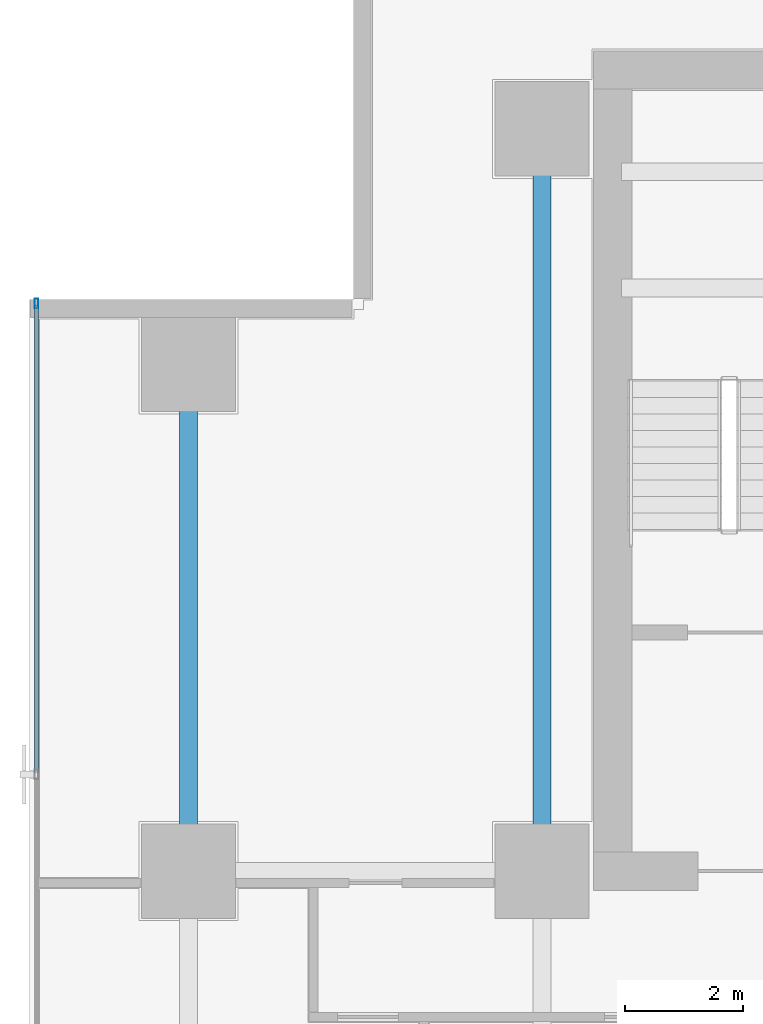
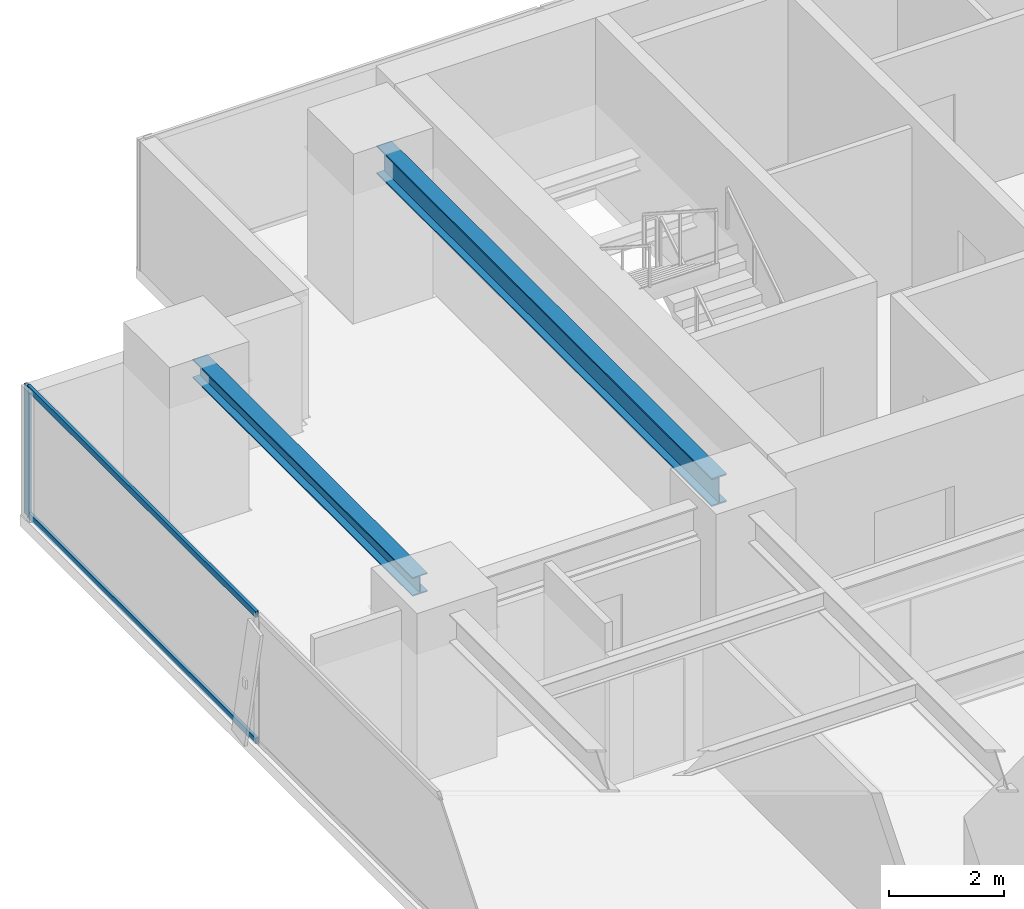
# One storey, part 18 of 34: 3 members, 2 beams, 1 element without a shape of its own.
"""IFC4 building model written with IfcOpenShell, lengths in metres."""

from ifc_helpers import new_model, si_unit, direction, frame, origin, origin_2d, place, context, subcontext, project, spatial, hollow_rectangle, i_section, extrude, source, transform, mapped, material, layer, layer_set, material_profile, profile_set, type_object, element, aggregate, save


model = new_model("IFC4")

# Units and contexts
model_context = context("Model", 3, precision=1e-05, world=origin(), true_north=direction((0.0, 1.0)))
body_context = subcontext(model_context, "Body", "Model", "MODEL_VIEW")
ifc_project = project(units=[si_unit("LENGTHUNIT", "METRE"), si_unit("AREAUNIT", "SQUARE_METRE"), si_unit("VOLUMEUNIT", "CUBIC_METRE"), si_unit("PLANEANGLEUNIT", "RADIAN"), si_unit("MASSUNIT", "GRAM", prefix="KILO")], contexts=[model_context])

# Site, building, storey
site_placement = place(None, origin())
site = spatial("IfcSite", under=ifc_project, at=site_placement, CompositionType="ELEMENT")
building_placement = place(site_placement, origin())
building = spatial("IfcBuilding", under=site, at=building_placement, Name="Sumidabori Civic Tower", CompositionType="ELEMENT")
storey_placement = place(building_placement, frame((0.0, 0.0, 99.199951171875)))
storey = spatial("IfcBuildingStorey", under=building, at=storey_placement, Name="L25", CompositionType="ELEMENT", Elevation=99.199951171875)

# Beams
ifc_material_1 = material(Name="Steel SN490", Category="steel")
ifc_material_profile_1 = material_profile(ifc_material_1, i_section(OverallWidth=0.300048828125, OverallDepth=0.39990234375, WebThickness=0.013427734375, FlangeThickness=0.02392578125, at=origin_2d()), Name="HE 400 B")
ifc_profile_set_1 = profile_set([ifc_material_profile_1], Name="Steel SN490")
beam_type_1 = type_object("IfcBeamType", Name="BM-GIRD-400", PredefinedType="BEAM", material=ifc_profile_set_1)
shared_shape_1 = source(origin(), body_context, "Body", "SweptSolid", [
    extrude(i_section(OverallWidth=0.300048828125, OverallDepth=0.39990234375, WebThickness=0.013427734375, FlangeThickness=0.02392578125, at=origin_2d()), origin(), (0.0, 0.0, 1.0), 7.64013671875),
])
beam_1_placement = place(storey_placement, frame((-22.800048828125, 10.679931640625, 3.16015625), z_axis=(0.0, 1.0, 0.0), x_axis=(-1.0, 0.0, 0.0)))
element("IfcBeam", 1, at=beam_1_placement, inside=storey, type_object=beam_type_1, Name="Primary Girder L25 GY-24", PredefinedType="BEAM", context=body_context, shape_type="MappedRepresentation", body=[
    mapped(shared_shape_1, transform((0.0, 0.0, 0.0), x_axis=(1.0, 0.0, 0.0), y_axis=(0.0, 1.0, 0.0), z_axis=(0.0, 0.0, 1.0), scale=1.0)),
])
ifc_material_profile_2 = material_profile(ifc_material_1, i_section(OverallWidth=0.300048828125, OverallDepth=0.60009765625, WebThickness=0.015380859375, FlangeThickness=0.030029296875, at=origin_2d()), Name="HE 600 B")
ifc_profile_set_2 = profile_set([ifc_material_profile_2], Name="Steel SN490")
beam_type_2 = type_object("IfcBeamType", Name="BM-GIRD-600", PredefinedType="BEAM", material=ifc_profile_set_2)
shared_shape_2 = source(origin(), body_context, "Body", "SweptSolid", [
    extrude(i_section(OverallWidth=0.300048828125, OverallDepth=0.60009765625, WebThickness=0.015380859375, FlangeThickness=0.030029296875, at=origin_2d()), origin(), (0.0, 0.0, 1.0), 11.64013671875),
])
beam_2_placement = place(storey_placement, frame((-16.800048828125, 10.679931640625, 3.06005859375), z_axis=(0.0, 1.0, 0.0), x_axis=(-1.0, 0.0, 0.0)))
element("IfcBeam", 2, at=beam_2_placement, inside=storey, type_object=beam_type_2, Name="Primary Girder L25 GY-28", PredefinedType="BEAM", context=body_context, shape_type="MappedRepresentation", body=[
    mapped(shared_shape_2, transform((0.0, 0.0, 0.0), x_axis=(1.0, 0.0, 0.0), y_axis=(0.0, 1.0, 0.0), z_axis=(0.0, 0.0, 1.0), scale=1.0)),
])

# Curtain wall, members
ifc_material_2 = material(Name="Anodised Bronze Aluminium AW-6063-T6", Category="aluminium")
ifc_layer = layer(ifc_material_2, 0.179931640625, Name="Anodised Bronze Aluminium AW-6063-T6")
ifc_layer_set = layer_set([ifc_layer], Name="Anodised Bronze Aluminium AW-6063-T6")
curtain_wall_type = type_object("IfcCurtainWallType", Name="CW-SYS-3", PredefinedType="NOTDEFINED", material=ifc_layer_set)
curtain_wall_placement = place(storey_placement, origin())
curtain_wall = element("IfcCurtainWall", 3, at=curtain_wall_placement, inside=storey, type_object=curtain_wall_type, Name="Curtain Wall CW:L25:R10", PredefinedType="NOTDEFINED")
ifc_material_profile_3 = material_profile(ifc_material_2, hollow_rectangle(XDim=0.06494140625, YDim=0.159912109375, WallThickness=0.0048828125, at=origin_2d()), Name="ALU MULLION 160x65")
ifc_profile_set_3 = profile_set([ifc_material_profile_3], Name="Anodised Bronze Aluminium AW-6063-T6")
member_type_1 = type_object("IfcMemberType", Name="CW-MUL-160", PredefinedType="MULLION", material=ifc_profile_set_3)
shared_shape_3 = source(origin(), body_context, "Body", "SweptSolid", [
    extrude(hollow_rectangle(XDim=0.06494140625, YDim=0.159912109375, WallThickness=0.0048828125, at=origin_2d()), origin(), (0.0, 0.0, 1.0), 2.739990234375),
])
member_1_placement = place(storey_placement, frame((-25.3798828125, 19.83740234375, 0.0), z_axis=(0.0, 0.0, 1.0), x_axis=(1.0, 0.0, 0.0)))
member_1 = element("IfcMember", 4, at=member_1_placement, type_object=member_type_1, Name="CW-3 mullion 1", PredefinedType="MULLION", context=body_context, shape_type="MappedRepresentation", body=[
    mapped(shared_shape_3, transform((0.0, 0.0, 0.0), x_axis=(1.0, 0.0, 0.0), y_axis=(0.0, 1.0, 0.0), z_axis=(0.0, 0.0, 1.0), scale=1.0)),
])
ifc_material_profile_4 = material_profile(ifc_material_2, hollow_rectangle(XDim=0.06005859375, YDim=0.1298828125, WallThickness=0.0048828125, at=origin_2d()), Name="ALU TRANSOM 130x60")
ifc_profile_set_4 = profile_set([ifc_material_profile_4], Name="Anodised Bronze Aluminium AW-6063-T6")
member_type_2 = type_object("IfcMemberType", Name="CW-TRN-130", PredefinedType="USERDEFINED", material=ifc_profile_set_4)
shared_shape_4 = source(origin(), body_context, "Body", "SweptSolid", [
    extrude(hollow_rectangle(XDim=0.06005859375, YDim=0.1298828125, WallThickness=0.0048828125, at=origin_2d()), origin(), (0.0, 0.0, 1.0), 7.930419921875),
])
member_2_placement = place(storey_placement, frame((-25.3798828125, 19.804931640625, 0.030029296875), z_axis=(0.0, -1.0, 0.0), x_axis=(1.0, 0.0, 0.0)))
member_2 = element("IfcMember", 5, at=member_2_placement, type_object=member_type_2, Name="CW-3 transom 1.1", ObjectType="TRANSOM", PredefinedType="USERDEFINED", context=body_context, shape_type="MappedRepresentation", body=[
    mapped(shared_shape_4, transform((0.0, 0.0, 0.0), x_axis=(1.0, 0.0, 0.0), y_axis=(0.0, 1.0, 0.0), z_axis=(0.0, 0.0, 1.0), scale=1.0)),
])
member_3_placement = place(storey_placement, frame((-25.3798828125, 19.804931640625, 2.7099609375), z_axis=(0.0, -1.0, 0.0), x_axis=(1.0, 0.0, 0.0)))
member_3 = element("IfcMember", 6, at=member_3_placement, type_object=member_type_2, Name="CW-3 transom 1.2", ObjectType="TRANSOM", PredefinedType="USERDEFINED", context=body_context, shape_type="MappedRepresentation", body=[
    mapped(shared_shape_4, transform((0.0, 0.0, 0.0), x_axis=(1.0, 0.0, 0.0), y_axis=(0.0, 1.0, 0.0), z_axis=(0.0, 0.0, 1.0), scale=1.0)),
])
aggregate(curtain_wall, [member_1, member_2, member_3])

save(model, "model.ifc")
